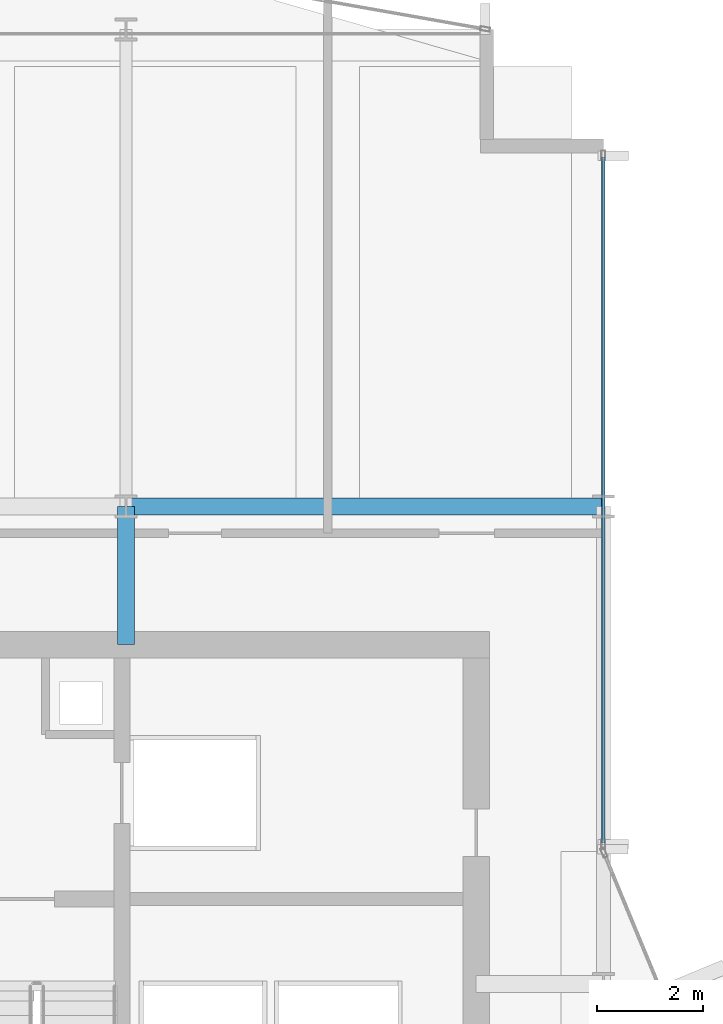
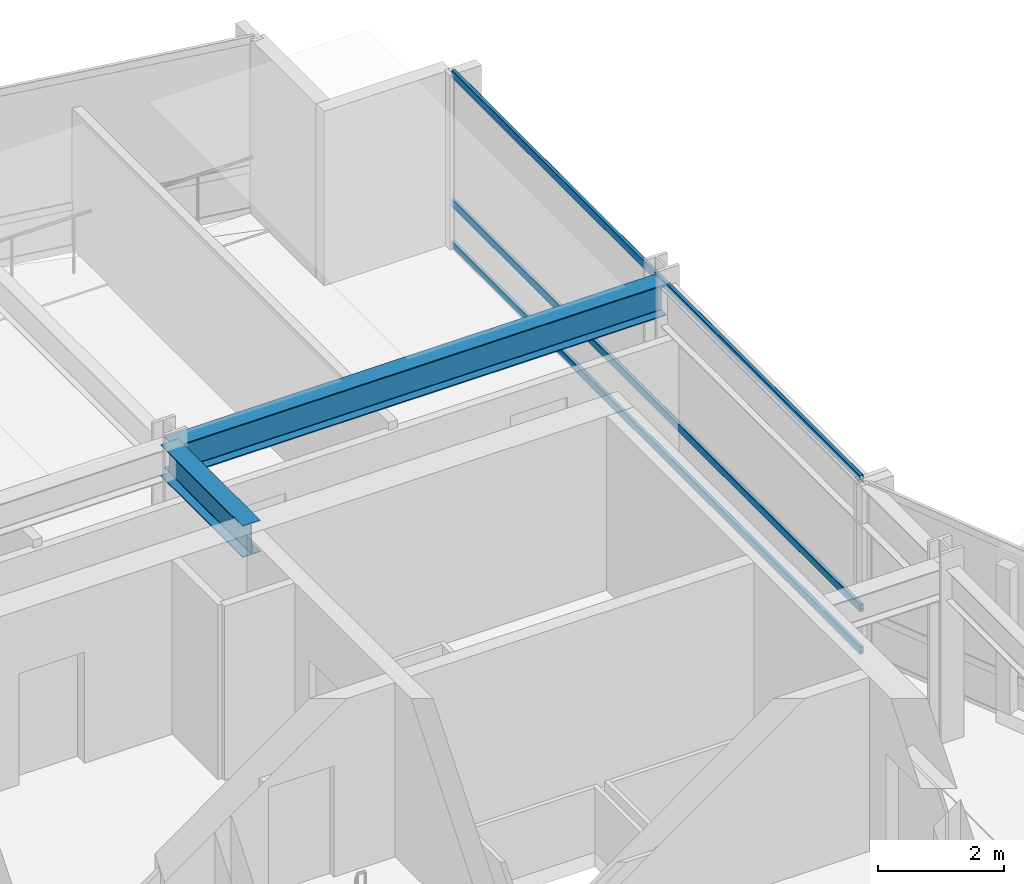
# One storey, part 18 of 29: 3 members, 2 beams, 1 element without a shape of its own.
"""IFC4 building model written with IfcOpenShell, lengths in metres."""

from ifc_helpers import new_model, si_unit, direction, frame, origin, origin_2d, place, context, subcontext, project, spatial, hollow_rectangle, i_section, extrude, material, layer, layer_set, material_profile, profile_set, type_object, element, aggregate, save


model = new_model("IFC4")

# Units and contexts
model_context = context("Model", 3, precision=1e-05, world=origin(), true_north=direction((0.0, 1.0)))
body_context = subcontext(model_context, "Body", "Model", "MODEL_VIEW")
ifc_project = project(units=[si_unit("LENGTHUNIT", "METRE"), si_unit("AREAUNIT", "SQUARE_METRE"), si_unit("VOLUMEUNIT", "CUBIC_METRE"), si_unit("PLANEANGLEUNIT", "RADIAN"), si_unit("MASSUNIT", "GRAM", prefix="KILO")], contexts=[model_context])

# Site, building, storey
site_placement = place(None, origin())
site = spatial("IfcSite", under=ifc_project, at=site_placement, CompositionType="ELEMENT")
building_placement = place(site_placement, origin())
building = spatial("IfcBuilding", under=site, at=building_placement, Name="Solvaryn Broadcast Tower", CompositionType="ELEMENT")
storey_placement = place(building_placement, frame((0.0, 0.0, 165.5)))
storey = spatial("IfcBuildingStorey", under=building, at=storey_placement, Name="L41", CompositionType="ELEMENT", Elevation=165.5)

# Beams
ifc_material_1 = material(Name="Steel ASTM A992 Grade 50", Category="steel")
ifc_material_profile_1 = material_profile(ifc_material_1, i_section(OverallWidth=0.323974609375, OverallDepth=0.611083984375, WebThickness=0.0126953125, FlangeThickness=0.01904296875, FilletRadius=0.014892578125, at=origin_2d()))
ifc_profile_set_1 = profile_set([ifc_material_profile_1], Name="Steel ASTM A992 Grade 50")
beam_type = type_object("IfcBeamType", Name="BM-B1-W24X104", PredefinedType="BEAM", material=ifc_profile_set_1)
beam_1_placement = place(storey_placement, frame((18.0, 45.0, 3.064453125), z_axis=(1.0, 0.0, 0.0), x_axis=(0.0, 1.0, 0.0)))
element("IfcBeam", 1, at=beam_1_placement, inside=storey, type_object=beam_type, Name="L41 Primary Beam X (18-27 @ Y=45)", PredefinedType="BEAM", context=body_context, shape_type="SweptSolid", body=[
    extrude(i_section(OverallWidth=0.323974609375, OverallDepth=0.611083984375, WebThickness=0.0126953125, FlangeThickness=0.01904296875, FilletRadius=0.014892578125, at=origin_2d()), origin(), (0.0, 0.0, 1.0), 9.0),
])
beam_2_placement = place(storey_placement, frame((18.0, 42.39990234375, 3.064453125), z_axis=(0.0, 1.0, 0.0), x_axis=(-1.0, 0.0, 0.0)))
element("IfcBeam", 2, at=beam_2_placement, inside=storey, type_object=beam_type, Name="L41 Core Tie Beam CTW3", PredefinedType="BEAM", context=body_context, shape_type="SweptSolid", body=[
    extrude(i_section(OverallWidth=0.323974609375, OverallDepth=0.611083984375, WebThickness=0.0126953125, FlangeThickness=0.01904296875, FilletRadius=0.014892578125, at=origin_2d()), origin(), (0.0, 0.0, 1.0), 2.60009765625),
])

# Curtain wall, members
ifc_material_2 = material(Name="Aluminium and Terracotta Unitised Curtain Wall", Category="masonry")
ifc_layer = layer(ifc_material_2, 0.199951171875)
ifc_layer_set = layer_set([ifc_layer], Name="CW-SYS2-LOWMID")
curtain_wall_type = type_object("IfcCurtainWallType", Name="CW-SYS2-LOWMID", PredefinedType="NOTDEFINED", material=ifc_layer_set)
curtain_wall_placement = place(storey_placement, origin())
curtain_wall = element("IfcCurtainWall", 3, at=curtain_wall_placement, inside=storey, type_object=curtain_wall_type, Name="L41 Curtain Wall IV", PredefinedType="NOTDEFINED")
ifc_material_3 = material(Name="Anodised Aluminium 6063-T6", Category="aluminium")
ifc_material_profile_2 = material_profile(ifc_material_3, hollow_rectangle(XDim=0.06494140625, YDim=0.14990234375, WallThickness=0.00390625, InnerFilletRadius=0.00390625, OuterFilletRadius=0.008056640625, at=origin_2d()))
ifc_profile_set_2 = profile_set([ifc_material_profile_2], Name="Anodised Aluminium 6063-T6")
member_type = type_object("IfcMemberType", Name="CW-TRN-150", PredefinedType="USERDEFINED", material=ifc_profile_set_2)
member_1_placement = place(storey_placement, frame((27.0, 51.590087890625, 0.030029296875), z_axis=(0.0, -1.0, 0.0), x_axis=(1.0, 0.0, 0.0)))
member_1 = element("IfcMember", 4, at=member_1_placement, type_object=member_type, Name="CWS2 transom 1.1", ObjectType="TRANSOM", PredefinedType="USERDEFINED", context=body_context, shape_type="SweptSolid", body=[
    extrude(hollow_rectangle(XDim=0.06494140625, YDim=0.14990234375, WallThickness=0.00390625, InnerFilletRadius=0.00390625, OuterFilletRadius=0.008056640625, at=origin_2d()), origin(), (0.0, 0.0, 1.0), 12.93017578125),
])
member_2_placement = place(storey_placement, frame((27.0, 51.590087890625, 0.85009765625), z_axis=(0.0, -1.0, 0.0), x_axis=(1.0, 0.0, 0.0)))
member_2 = element("IfcMember", 5, at=member_2_placement, type_object=member_type, Name="CWS2 transom 1.2", ObjectType="TRANSOM", PredefinedType="USERDEFINED", context=body_context, shape_type="SweptSolid", body=[
    extrude(hollow_rectangle(XDim=0.06494140625, YDim=0.14990234375, WallThickness=0.00390625, InnerFilletRadius=0.00390625, OuterFilletRadius=0.008056640625, at=origin_2d()), origin(), (0.0, 0.0, 1.0), 12.93017578125),
])
member_3_placement = place(storey_placement, frame((27.0, 51.590087890625, 3.340087890625), z_axis=(0.0, -1.0, 0.0), x_axis=(1.0, 0.0, 0.0)))
member_3 = element("IfcMember", 6, at=member_3_placement, type_object=member_type, Name="CWS2 transom 1.3", ObjectType="TRANSOM", PredefinedType="USERDEFINED", context=body_context, shape_type="SweptSolid", body=[
    extrude(hollow_rectangle(XDim=0.06494140625, YDim=0.14990234375, WallThickness=0.00390625, InnerFilletRadius=0.00390625, OuterFilletRadius=0.008056640625, at=origin_2d()), origin(), (0.0, 0.0, 1.0), 12.93017578125),
])
aggregate(curtain_wall, [member_1, member_2, member_3])

save(model, "model.ifc")
